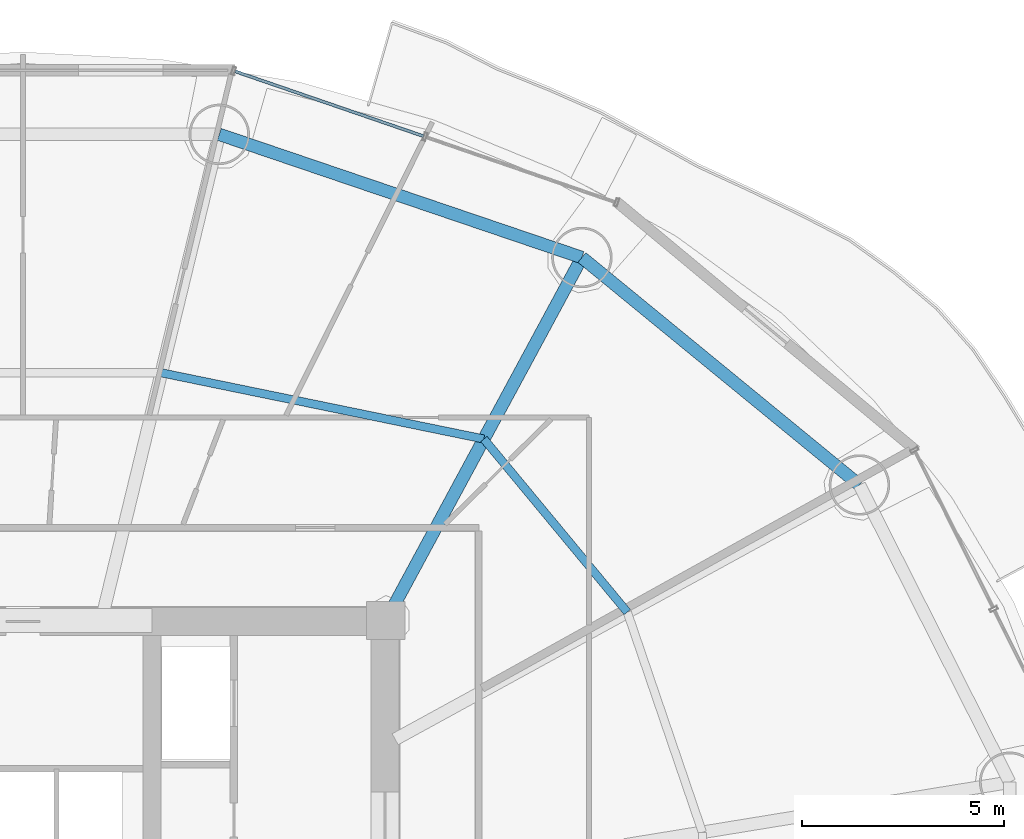
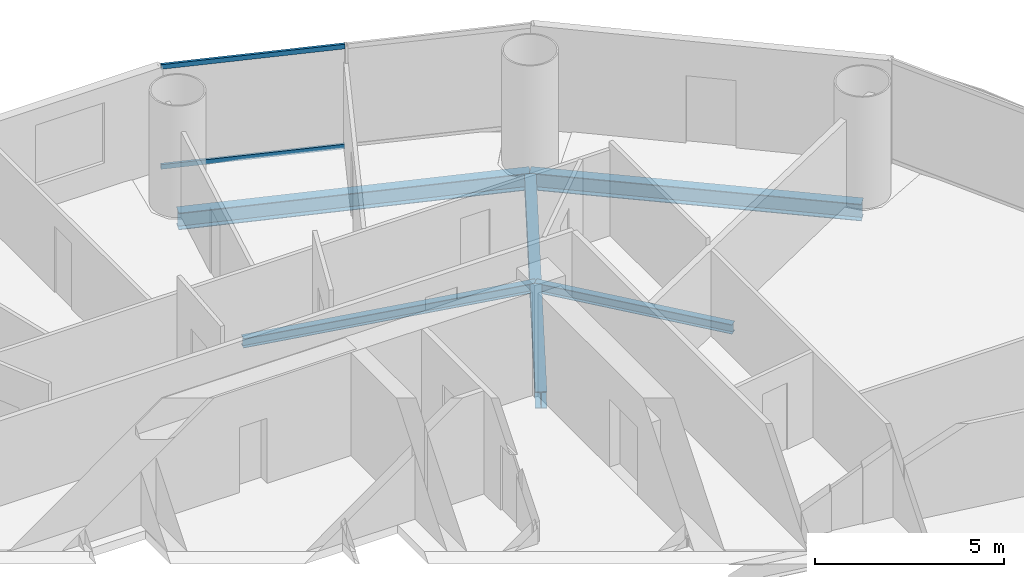
# One storey, part 19 of 29: 5 beams, 2 members, 1 element without a shape of its own.
"""IFC4 building model written with IfcOpenShell, lengths in metres."""

from ifc_helpers import new_model, si_unit, direction, frame, origin, origin_2d, place, context, subcontext, project, spatial, hollow_rectangle, i_section, extrude, source, transform, mapped, material, material_profile, profile_set, type_object, element, aggregate, save


model = new_model("IFC4")

# Units and contexts
model_context = context("Model", 3, precision=1e-05, world=origin(), true_north=direction((-0.2419218956, 0.970295726276)))
body_context = subcontext(model_context, "Body", "Model", "MODEL_VIEW")
ifc_project = project(units=[si_unit("LENGTHUNIT", "METRE"), si_unit("AREAUNIT", "SQUARE_METRE"), si_unit("VOLUMEUNIT", "CUBIC_METRE"), si_unit("PLANEANGLEUNIT", "RADIAN"), si_unit("MASSUNIT", "GRAM", prefix="KILO")], contexts=[model_context])

# Site, building, storey
site_placement = place(None, origin())
site = spatial("IfcSite", under=ifc_project, at=site_placement, CompositionType="ELEMENT")
building_placement = place(site_placement, origin())
building = spatial("IfcBuilding", under=site, at=building_placement, Name="Cobrevalo Terracotta Tower", CompositionType="ELEMENT")
storey_placement = place(building_placement, frame((0.0, 0.0, 97.800048828125)))
storey = spatial("IfcBuildingStorey", under=building, at=storey_placement, Name="L25", CompositionType="ELEMENT", Elevation=97.800048828125)

# Beams
ifc_material_1 = material(Name="Steel S355", Category="steel")
ifc_material_profile_1 = material_profile(ifc_material_1, i_section(OverallWidth=0.31201171875, OverallDepth=0.54296875, WebThickness=0.0126953125, FlangeThickness=0.020263671875, at=origin_2d()), Name="W 530x150")
ifc_profile_set_1 = profile_set([ifc_material_profile_1], Name="Steel S355")
beam_type_1 = type_object("IfcBeamType", Name="Structural Beam W 530x150 (Steel S355)", PredefinedType="BEAM", material=ifc_profile_set_1)
beam_1_placement = place(storey_placement, frame((51.861572265625, 43.803466796875, -0.546630859375), z_axis=(-0.475128224431, -0.879916570107, 0.0), x_axis=(0.879916570107, -0.475128224431, 0.0)))
element("IfcBeam", 1, at=beam_1_placement, inside=storey, type_object=beam_type_1, Name="L25 radial floor girder 03", PredefinedType="BEAM", context=body_context, shape_type="SweptSolid", body=[
    extrude(i_section(OverallWidth=0.31201171875, OverallDepth=0.54296875, WebThickness=0.0126953125, FlangeThickness=0.020263671875, at=origin_2d()), origin(), (0.0, 0.0, 1.0), 10.232177734375),
])
ifc_material_profile_2 = material_profile(ifc_material_1, i_section(OverallWidth=0.2041015625, OverallDepth=0.305908203125, WebThickness=0.008544921875, FlangeThickness=0.0146484375, at=origin_2d()), Name="W 310x67")
ifc_profile_set_2 = profile_set([ifc_material_profile_2], Name="Steel S355")
beam_type_2 = type_object("IfcBeamType", Name="Structural Joist W 310x67 (Steel S355)", PredefinedType="JOIST", material=ifc_profile_set_2)
beam_2_placement = place(storey_placement, frame((52.987548828125, 35.00830078125, -0.427978515625), z_axis=(-0.6379592588, 0.77007011636, 0.0), x_axis=(-0.77007011636, -0.6379592588, 0.0)))
element("IfcBeam", 2, at=beam_2_placement, inside=storey, type_object=beam_type_2, Name="L25 circumferential secondary floor joist 02", PredefinedType="JOIST", context=body_context, shape_type="SweptSolid", body=[
    extrude(i_section(OverallWidth=0.2041015625, OverallDepth=0.305908203125, WebThickness=0.008544921875, FlangeThickness=0.0146484375, at=origin_2d()), origin(), (0.0, 0.0, 1.0), 5.575439453125),
])
beam_3_placement = place(storey_placement, frame((49.4306640625, 39.3017578125, -0.427978515625), z_axis=(-0.979574469315, 0.201081722357, 0.0), x_axis=(-0.201081722357, -0.979574469315, 0.0)))
element("IfcBeam", 3, at=beam_3_placement, inside=storey, type_object=beam_type_2, Name="L25 circumferential secondary floor joist 03", PredefinedType="JOIST", context=body_context, shape_type="SweptSolid", body=[
    extrude(i_section(OverallWidth=0.2041015625, OverallDepth=0.305908203125, WebThickness=0.008544921875, FlangeThickness=0.0146484375, at=origin_2d()), origin(), (0.0, 0.0, 1.0), 8.1650390625),
])
ifc_material_profile_3 = material_profile(ifc_material_1, i_section(OverallWidth=0.31201171875, OverallDepth=0.54296875, WebThickness=0.0126953125, FlangeThickness=0.020263671875, at=origin_2d()), Name="W 530x150")
ifc_profile_set_3 = profile_set([ifc_material_profile_3], Name="Steel S355")
beam_type_3 = type_object("IfcBeamType", Name="Structural Spandrel W 530x150 (Steel S355)", PredefinedType="SPANDREL", material=ifc_profile_set_3)
beam_4_placement = place(storey_placement, frame((58.7451171875, 38.161376953125, -0.546630859375), z_axis=(-0.773400923541, 0.633917196064, 0.0), x_axis=(-0.633917196064, -0.773400923541, 0.0)))
element("IfcBeam", 4, at=beam_4_placement, inside=storey, type_object=beam_type_3, Name="L25 perimeter ring spandrel 02", PredefinedType="SPANDREL", context=body_context, shape_type="SweptSolid", body=[
    extrude(i_section(OverallWidth=0.31201171875, OverallDepth=0.54296875, WebThickness=0.0126953125, FlangeThickness=0.020263671875, at=origin_2d()), origin(), (0.0, 0.0, 1.0), 8.900390625),
])
beam_5_placement = place(storey_placement, frame((51.861572265625, 43.803466796875, -0.546630859375), z_axis=(-0.946910528816, 0.32149720126, 0.0), x_axis=(-0.32149720126, -0.946910528816, 0.0)))
element("IfcBeam", 5, at=beam_5_placement, inside=storey, type_object=beam_type_3, Name="L25 perimeter ring spandrel 03", PredefinedType="SPANDREL", context=body_context, shape_type="SweptSolid", body=[
    extrude(i_section(OverallWidth=0.31201171875, OverallDepth=0.54296875, WebThickness=0.0126953125, FlangeThickness=0.020263671875, at=origin_2d()), origin(), (0.0, 0.0, 1.0), 9.498291015625),
])

# Curtain wall, members
ifc_material_2 = material(Name="Anodized aluminium", Category="aluminium")
curtain_wall_type = type_object("IfcCurtainWallType", Name="Lower-tower unitised acoustic low-E curtain wall CW-U1", PredefinedType="NOTDEFINED", material=ifc_material_2)
curtain_wall_placement = place(storey_placement, origin())
curtain_wall = element("IfcCurtainWall", 6, at=curtain_wall_placement, inside=storey, type_object=curtain_wall_type, Name="L25 curtain wall CW-L25-S03", PredefinedType="NOTDEFINED")
ifc_material_profile_4 = material_profile(ifc_material_2, hollow_rectangle(XDim=0.074951171875, YDim=0.14990234375, WallThickness=0.00439453125, at=origin_2d()), Name="CWT 75x150")
ifc_profile_set_4 = profile_set([ifc_material_profile_4], Name="Anodized aluminium")
member_type = type_object("IfcMemberType", Name="Tower unitised aluminium transom 75x150", PredefinedType="USERDEFINED", material=ifc_profile_set_4)
shared_shape = source(origin(), body_context, "Body", "SweptSolid", [
    extrude(hollow_rectangle(XDim=0.074951171875, YDim=0.14990234375, WallThickness=0.00439453125, at=origin_2d()), origin(), (0.0, 0.0, 1.0), 4.944580078125),
])
member_1_placement = place(storey_placement, frame((47.934814453125, 46.811279296875, 0.050048828125), z_axis=(-0.945597859971, 0.32533780478, 0.0), x_axis=(-0.32533780478, -0.945597859971, 0.0)))
member_1 = element("IfcMember", 7, at=member_1_placement, type_object=member_type, Name="CW-L25-S03 transom B02-T1", ObjectType="TRANSOM", PredefinedType="USERDEFINED", context=body_context, shape_type="MappedRepresentation", body=[
    mapped(shared_shape, transform((0.0, 0.0, 0.0), scale=1.0)),
])
member_2_placement = place(storey_placement, frame((47.934814453125, 46.811279296875, 3.27490234375), z_axis=(-0.945597859971, 0.32533780478, 0.0), x_axis=(-0.32533780478, -0.945597859971, 0.0)))
member_2 = element("IfcMember", 8, at=member_2_placement, type_object=member_type, Name="CW-L25-S03 transom B02-T2", ObjectType="TRANSOM", PredefinedType="USERDEFINED", context=body_context, shape_type="MappedRepresentation", body=[
    mapped(shared_shape, transform((0.0, 0.0, 0.0), scale=1.0)),
])
aggregate(curtain_wall, [member_1, member_2])

save(model, "model.ifc")
